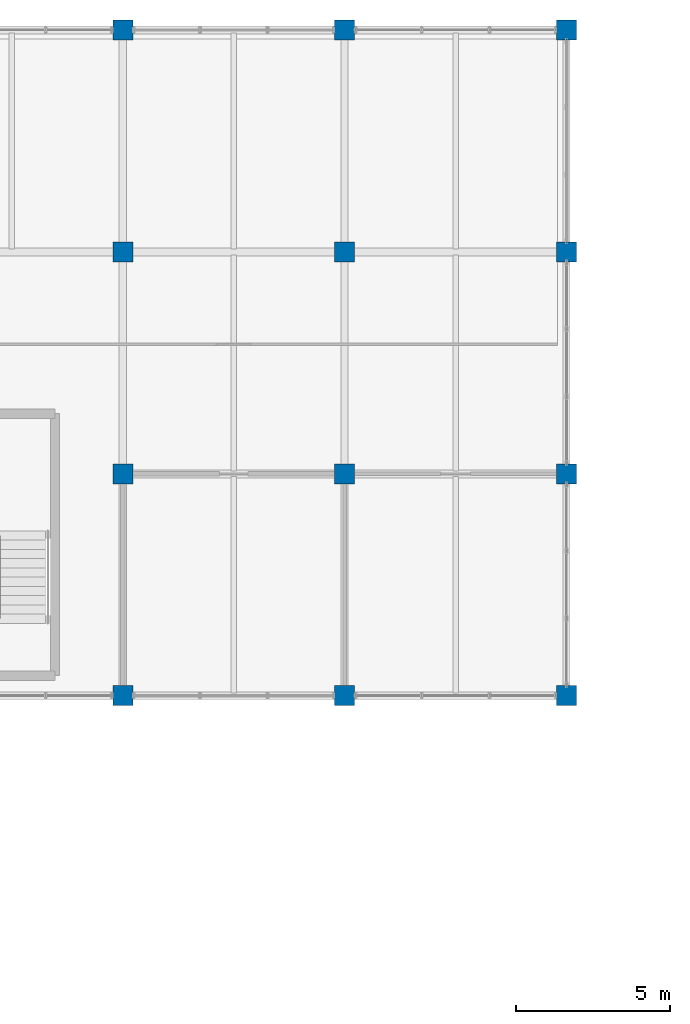
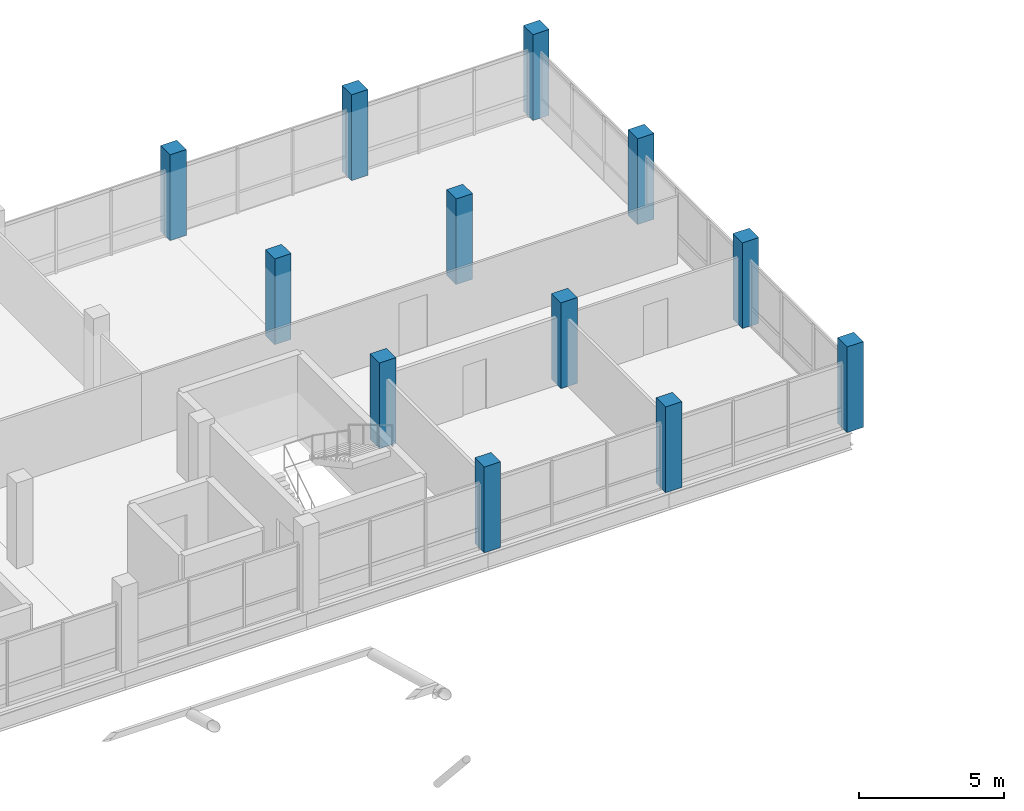
# One storey, part 7 of 96: 12 columns.
"""IFC4 building model written with IfcOpenShell, lengths in metres."""

from ifc_helpers import new_model, si_unit, direction, frame, origin, origin_2d, place, context, subcontext, project, spatial, rectangle, extrude, material, material_profile, profile_set, type_object, element, save


model = new_model("IFC4")

# Units and contexts
model_context = context("Model", 3, precision=1e-05, world=origin(), true_north=direction((0.0, 1.0)))
body_context = subcontext(model_context, "Body", "Model", "MODEL_VIEW")
ifc_project = project(units=[si_unit("LENGTHUNIT", "METRE"), si_unit("AREAUNIT", "SQUARE_METRE"), si_unit("VOLUMEUNIT", "CUBIC_METRE"), si_unit("PLANEANGLEUNIT", "RADIAN"), si_unit("MASSUNIT", "GRAM", prefix="KILO")], contexts=[model_context])

# Site, building, storey
site_placement = place(None, origin())
site = spatial("IfcSite", under=ifc_project, at=site_placement, CompositionType="ELEMENT")
building_placement = place(site_placement, origin())
building = spatial("IfcBuilding", under=site, at=building_placement, Name="Yarey Park Central Fire Station", CompositionType="ELEMENT")
storey_placement = place(building_placement, frame((0.0, 0.0, 14.39990234375)))
storey = spatial("IfcBuildingStorey", under=building, at=storey_placement, Name="L04", CompositionType="ELEMENT", Elevation=14.39990234375)

# Columns
ifc_material = material(Name="Concrete C40/50", Category="concrete")
ifc_material_profile_1 = material_profile(ifc_material, rectangle(XDim=0.64990234375, YDim=0.64990234375, at=origin_2d()), Name="RC 650x650")
ifc_profile_set_1 = profile_set([ifc_material_profile_1], Name="Concrete C40/50")
column_type_1 = type_object("IfcColumnType", Name="STR_COL_RC650_EXT", PredefinedType="COLUMN", material=ifc_profile_set_1)
for number, where, z_axis, x_axis, name in (
    (1, (144.0, 93.60009765625, 0.0), (0.0, 0.0, 1.0), (1.0, 0.0, 0.0), "COL_L04_X1440_Y936"),
    (2, (144.0, 115.199951171875, 0.0), (0.0, 0.0, 1.0), (1.0, 0.0, 0.0), "COL_L04_X1440_Y1152"),
    (3, (151.199951171875, 93.60009765625, 0.0), (0.0, 0.0, 1.0), (1.0, 0.0, 0.0), "COL_L04_X1512_Y936"),
    (4, (151.199951171875, 115.199951171875, 0.0), (0.0, 0.0, 1.0), (1.0, 0.0, 0.0), "COL_L04_X1512_Y1152"),
    (5, (158.39990234375, 93.60009765625, 0.0), (0.0, 0.0, 1.0), (1.0, 0.0, 0.0), "COL_L04_X1584_Y936"),
    (6, (158.39990234375, 100.800048828125, 0.0), (0.0, 0.0, 1.0), (1.0, 0.0, 0.0), "COL_L04_X1584_Y1008"),
    (7, (158.39990234375, 108.0, 0.0), (0.0, 0.0, 1.0), (1.0, 0.0, 0.0), "COL_L04_X1584_Y1080"),
    (8, (158.39990234375, 115.199951171875, 0.0), (0.0, 0.0, 1.0), (1.0, 0.0, 0.0), "COL_L04_X1584_Y1152"),
):
    element("IfcColumn", number, at=place(storey_placement, frame(where, z_axis=z_axis, x_axis=x_axis)), inside=storey, type_object=column_type_1, Name=name, PredefinedType="COLUMN", context=body_context, shape_type="SweptSolid", body=[
        extrude(rectangle(XDim=0.64990234375, YDim=0.64990234375, at=origin_2d()), origin(), (0.0, 0.0, 1.0), 3.60009765625),
    ])
ifc_material_profile_2 = material_profile(ifc_material, rectangle(XDim=0.64990234375, YDim=0.64990234375, at=origin_2d()), Name="RC 650x650")
ifc_profile_set_2 = profile_set([ifc_material_profile_2], Name="Concrete C40/50")
column_type_2 = type_object("IfcColumnType", Name="STR_COL_RC650_INT", PredefinedType="COLUMN", material=ifc_profile_set_2)
for number, where, z_axis, x_axis, name in (
    (9, (144.0, 100.800048828125, 0.0), (0.0, 0.0, 1.0), (1.0, 0.0, 0.0), "COL_L04_X1440_Y1008"),
    (10, (144.0, 108.0, 0.0), (0.0, 0.0, 1.0), (1.0, 0.0, 0.0), "COL_L04_X1440_Y1080"),
    (11, (151.199951171875, 100.800048828125, 0.0), (0.0, 0.0, 1.0), (1.0, 0.0, 0.0), "COL_L04_X1512_Y1008"),
    (12, (151.199951171875, 108.0, 0.0), (0.0, 0.0, 1.0), (1.0, 0.0, 0.0), "COL_L04_X1512_Y1080"),
):
    element("IfcColumn", number, at=place(storey_placement, frame(where, z_axis=z_axis, x_axis=x_axis)), inside=storey, type_object=column_type_2, Name=name, PredefinedType="COLUMN", context=body_context, shape_type="SweptSolid", body=[
        extrude(rectangle(XDim=0.64990234375, YDim=0.64990234375, at=origin_2d()), origin(), (0.0, 0.0, 1.0), 3.60009765625),
    ])

save(model, "model.ifc")
